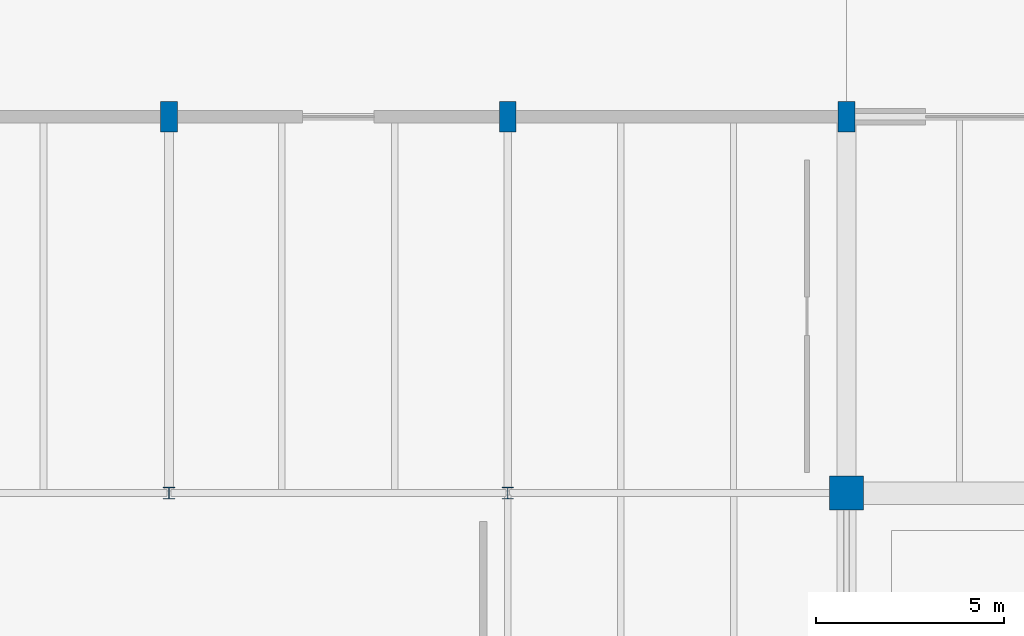
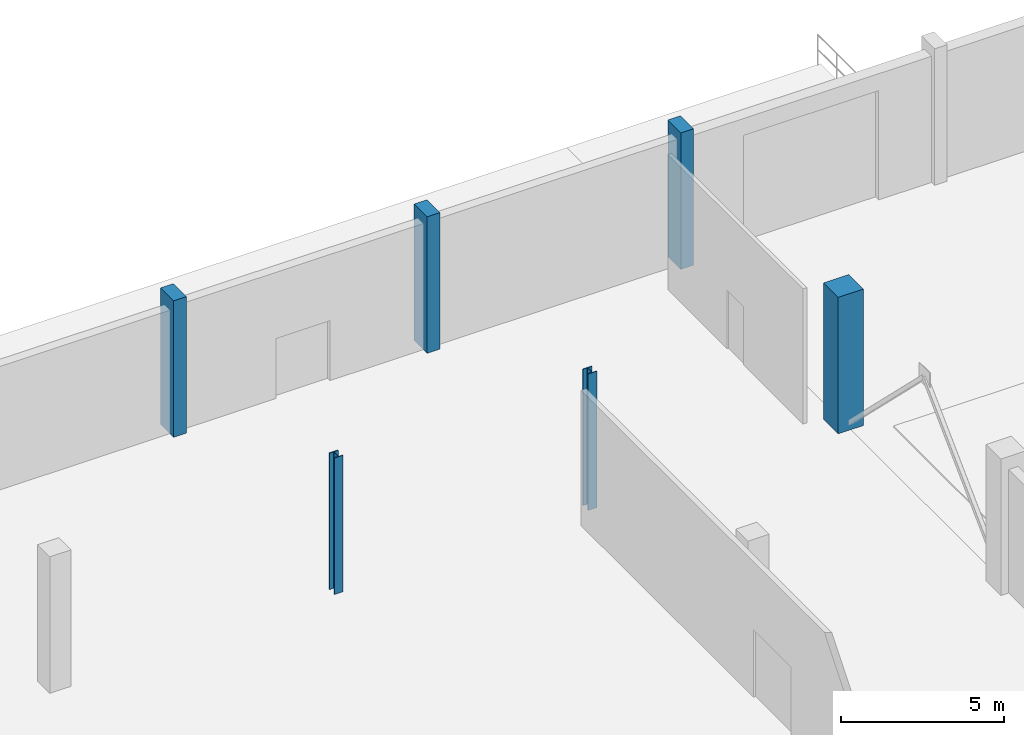
# One storey, part 20 of 103: 6 columns.
"""IFC4 building model written with IfcOpenShell, lengths in metres."""

from ifc_helpers import new_model, si_unit, direction, frame, origin, origin_2d, place, context, subcontext, project, spatial, rectangle, i_section, extrude, material, material_profile, profile_set, type_object, element, save


model = new_model("IFC4")

# Units and contexts
model_context = context("Model", 3, precision=1e-05, world=origin(), true_north=direction((0.0, 1.0)))
body_context = subcontext(model_context, "Body", "Model", "MODEL_VIEW")
ifc_project = project(units=[si_unit("LENGTHUNIT", "METRE"), si_unit("AREAUNIT", "SQUARE_METRE"), si_unit("VOLUMEUNIT", "CUBIC_METRE"), si_unit("PLANEANGLEUNIT", "RADIAN"), si_unit("MASSUNIT", "GRAM", prefix="KILO")], contexts=[model_context])

# Site, building, storey
site_placement = place(None, origin())
site = spatial("IfcSite", under=ifc_project, at=site_placement, CompositionType="ELEMENT")
building_placement = place(site_placement, origin())
building = spatial("IfcBuilding", under=site, at=building_placement, Name="Marnock Terrace Opera House", CompositionType="ELEMENT")
storey_placement = place(building_placement, origin())
storey = spatial("IfcBuildingStorey", under=building, at=storey_placement, Name="L00", CompositionType="ELEMENT", Elevation=0.0)

# Columns
ifc_material_1 = material(Name="Concrete N40 (f'c = 40 MPa)", Category="concrete")
ifc_material_profile_1 = material_profile(ifc_material_1, rectangle(XDim=0.449951171875, YDim=0.800048828125, at=origin_2d()))
ifc_profile_set_1 = profile_set([ifc_material_profile_1], Name="Concrete N40 (f'c = 40 MPa)")
column_type_1 = type_object("IfcColumnType", Name="COL-PIL-800", PredefinedType="PILASTER", material=ifc_profile_set_1)
for number, where, z_axis, x_axis, name in (
    (1, (37.0, 114.0, 0.0), (0.0, 0.0, 1.0), (1.0, 0.0, 0.0), "L00 column at (37.0, 114.0)"),
    (2, (46.0, 114.0, 0.0), (0.0, 0.0, 1.0), (1.0, 0.0, 0.0), "L00 column at (46.0, 114.0)"),
    (3, (55.0, 114.0, 0.0), (0.0, 0.0, 1.0), (1.0, 0.0, 0.0), "L00 column at (55.0, 114.0)"),
):
    element("IfcColumn", number, at=place(storey_placement, frame(where, z_axis=z_axis, x_axis=x_axis)), inside=storey, type_object=column_type_1, Name=name, PredefinedType="PILASTER", context=body_context, shape_type="SweptSolid", body=[
        extrude(rectangle(XDim=0.449951171875, YDim=0.800048828125, at=origin_2d()), origin(), (0.0, 0.0, 1.0), 5.1201171875),
    ])
ifc_material_2 = material(Name="Concrete N50 (f'c = 50 MPa)", Category="concrete")
ifc_material_profile_2 = material_profile(ifc_material_2, rectangle(XDim=0.89990234375, YDim=0.89990234375, at=origin_2d()))
ifc_profile_set_2 = profile_set([ifc_material_profile_2], Name="Concrete N50 (f'c = 50 MPa)")
column_type_2 = type_object("IfcColumnType", Name="COL-RC900", PredefinedType="COLUMN", material=ifc_profile_set_2)
column_placement = place(storey_placement, frame((55.0, 104.0, 0.0), z_axis=(0.0, 0.0, 1.0), x_axis=(1.0, 0.0, 0.0)))
element("IfcColumn", 4, at=column_placement, inside=storey, type_object=column_type_2, Name="L00 column at (55.0, 104.0)", PredefinedType="COLUMN", context=body_context, shape_type="SweptSolid", body=[
    extrude(rectangle(XDim=0.89990234375, YDim=0.89990234375, at=origin_2d()), origin(), (0.0, 0.0, 1.0), 5.1201171875),
])
ifc_material_3 = material(Name="Steel Grade 350 (AS/NZS 3679.1)", Category="steel")
ifc_material_profile_3 = material_profile(ifc_material_3, i_section(OverallWidth=0.31103515625, OverallDepth=0.3271484375, WebThickness=0.015625, FlangeThickness=0.02490234375, FilletRadius=0.0166015625, at=origin_2d()))
ifc_profile_set_3 = profile_set([ifc_material_profile_3], Name="Steel Grade 350 (AS/NZS 3679.1)")
column_type_3 = type_object("IfcColumnType", Name="COL-UC310A", PredefinedType="COLUMN", material=ifc_profile_set_3)
for number, where, z_axis, x_axis, name in (
    (5, (37.0, 104.0, 0.0), (0.0, 0.0, 1.0), (1.0, 0.0, 0.0), "L00 column at (37.0, 104.0)"),
    (6, (46.0, 104.0, 0.0), (0.0, 0.0, 1.0), (1.0, 0.0, 0.0), "L00 column at (46.0, 104.0)"),
):
    element("IfcColumn", number, at=place(storey_placement, frame(where, z_axis=z_axis, x_axis=x_axis)), inside=storey, type_object=column_type_3, Name=name, PredefinedType="COLUMN", context=body_context, shape_type="SweptSolid", body=[
        extrude(i_section(OverallWidth=0.31103515625, OverallDepth=0.3271484375, WebThickness=0.015625, FlangeThickness=0.02490234375, FilletRadius=0.0166015625, at=origin_2d()), origin(), (0.0, 0.0, 1.0), 5.1201171875),
    ])

save(model, "model.ifc")
